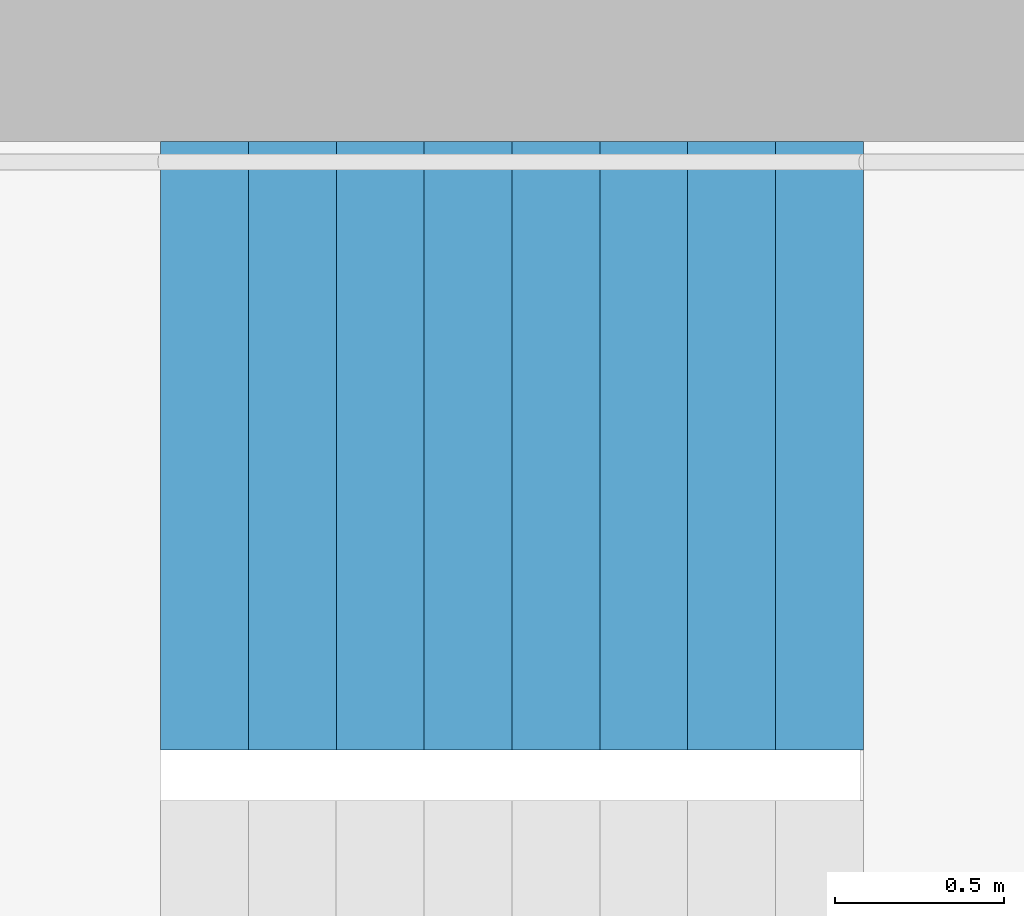
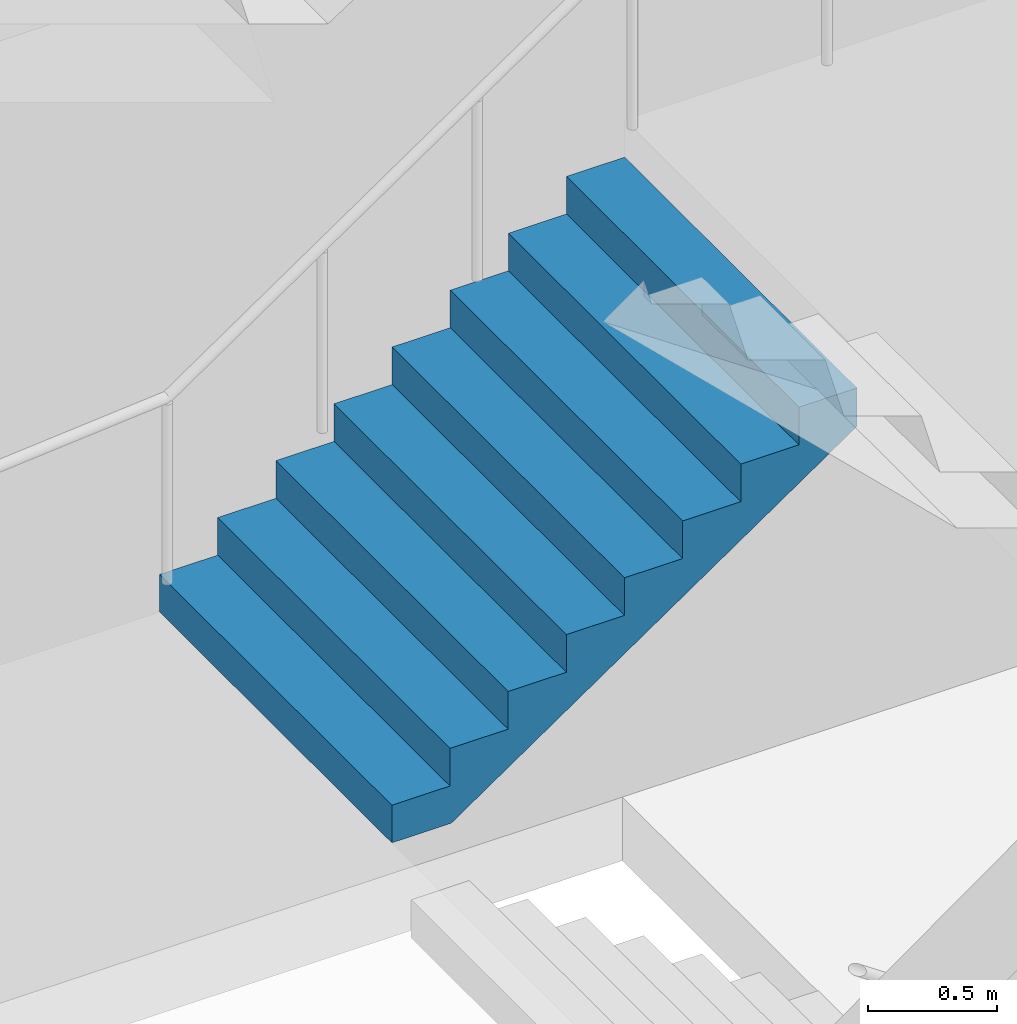
# One storey, part 30 of 42: 1 stair flight, 1 element without a shape of its own.
"""IFC4 building model written with IfcOpenShell, lengths in metres."""

import ifcopenshell
import ifcopenshell.guid

model = None  # the IFC model being written
_history = None  # IfcOwnerHistory: only IFC2X3 demands one
_inside = {}  # id of a spatial element -> (the spatial element, [elements in it])
_under = {}  # id of a project, library or spatial element -> (it, [spatial elements below it])
_declared = {}  # id of a project -> (the project, [libraries it declares])
_typed = {}  # id of a type object -> (the type object, [elements of that type])
_made_of = {}  # id of a material, layer set ... -> (it, [elements and type objects made of it])


def new_model(schema):
    """Start an empty IFC model of exactly this schema.

    Asked for "IFC4X3", IfcOpenShell would pick the latest addendum, in which some entities
    have other attributes; the version numbers below select the first issue.
    IFC2X3 requires an IfcOwnerHistory on every rooted entity: one is made here for all.
    """
    global model, _history
    if schema == "IFC4X3":
        model = ifcopenshell.file(schema_version=(4, 3, 0, 0))
    else:
        model = ifcopenshell.file(schema=schema)
    _inside.clear()
    _under.clear()
    _declared.clear()
    _typed.clear()
    _made_of.clear()
    _history = None
    if model.schema == "IFC2X3":
        org = make("IfcOrganization", Name="unknown")
        user = make(
            "IfcPersonAndOrganization",
            ThePerson=make("IfcPerson", FamilyName="unknown"),
            TheOrganization=org,
        )
        app = make(
            "IfcApplication",
            ApplicationDeveloper=org,
            Version="unknown",
            ApplicationFullName="unknown",
            ApplicationIdentifier="unknown",
        )
        _history = make(
            "IfcOwnerHistory",
            OwningUser=user,
            OwningApplication=app,
            ChangeAction="ADDED",
            CreationDate=0,
        )
    return model


def make(cls, **values):
    """One entity of the class cls with the attributes given. An attribute that is None is left unset."""
    return model.create_entity(
        cls, **{name: value for name, value in values.items() if value is not None}
    )


def rooted(cls, **values):
    """An entity with a GlobalId (a new one), such as an element, a storey or a relation."""
    return make(cls, GlobalId=ifcopenshell.guid.new(), OwnerHistory=_history, **values)


def si_unit(unit_type, name, prefix=None):
    """IfcSIUnit, for example si_unit("LENGTHUNIT", "METRE", prefix="MILLI")."""
    return make("IfcSIUnit", UnitType=unit_type, Prefix=prefix, Name=name)


def assignment(units):
    """IfcUnitAssignment: the units of a project."""
    return None if units is None else make("IfcUnitAssignment", Units=units)


def point(xyz):
    """IfcCartesianPoint."""
    return None if xyz is None else make("IfcCartesianPoint", Coordinates=xyz)


def direction(xyz):
    """IfcDirection."""
    return None if xyz is None else make("IfcDirection", DirectionRatios=xyz)


def frame(location, z_axis=None, x_axis=None):
    """IfcAxis2Placement3D, a coordinate frame: its origin and axes. An axis left out is left unset."""
    return make(
        "IfcAxis2Placement3D",
        Location=point(location),
        Axis=direction(z_axis),
        RefDirection=direction(x_axis),
    )


def origin():
    """The frame at (0, 0, 0) with its axes left unset."""
    return frame((0.0, 0.0, 0.0))


def place(relative_to, where):
    """IfcLocalPlacement: puts the frame where relative to a parent placement (None: the world)."""
    return make(
        "IfcLocalPlacement", PlacementRelTo=relative_to, RelativePlacement=where
    )


def context(
    kind, dimensions, precision=None, world=None, true_north=None, identifier=None
):
    """IfcGeometricRepresentationContext, for example the 3D "Model" context."""
    return make(
        "IfcGeometricRepresentationContext",
        ContextIdentifier=identifier,
        ContextType=kind,
        CoordinateSpaceDimension=dimensions,
        Precision=precision,
        WorldCoordinateSystem=world,
        TrueNorth=true_north,
    )


def subcontext(parent, identifier, kind, view, scale=None):
    """IfcGeometricRepresentationSubContext, for example "Body" below "Model"."""
    return make(
        "IfcGeometricRepresentationSubContext",
        ContextIdentifier=identifier,
        ContextType=kind,
        ParentContext=parent,
        TargetScale=scale,
        TargetView=view,
    )


def project(units=None, contexts=None):
    """IfcProject with its units and contexts."""
    return rooted(
        "IfcProject",
        Name="project",
        RepresentationContexts=contexts,
        UnitsInContext=assignment(units),
    )


def spatial(cls, under=None, at=None, **own):
    """A site, building, storey or space (cls), placed at a placement, below another one or the project."""
    s = rooted(cls, ObjectPlacement=at, **own)
    if under is not None:
        _under.setdefault(under.id(), (under, []))[1].append(s)
    return s


def point_list(points):
    """IfcCartesianPointList2D or 3D."""
    cls = (
        "IfcCartesianPointList2D" if len(points[0]) == 2 else "IfcCartesianPointList3D"
    )
    return make(cls, CoordList=points)


def triangles(points, corners, closed=None, point_numbers=None):
    """IfcTriangulatedFaceSet: each triangle names its three corners, points numbered from 1."""
    return make(
        "IfcTriangulatedFaceSet",
        Coordinates=point_list(points),
        Closed=closed,
        CoordIndex=corners,
        PnIndex=point_numbers,
    )


def shape(context_of_items, identifier, shape_type, items):
    """IfcShapeRepresentation: the items that make up one representation, for example the "Body"."""
    return make(
        "IfcShapeRepresentation",
        ContextOfItems=context_of_items,
        RepresentationIdentifier=identifier,
        RepresentationType=shape_type,
        Items=items,
    )


def material(Name=None, Category=None):
    """IfcMaterial."""
    return make("IfcMaterial", Name=Name, Category=Category)


def made_of(thing, what):
    """Note that an element or type object is made of a material, layer set ...; save() writes the relation."""
    if what is not None:
        _made_of.setdefault(what.id(), (what, []))[1].append(thing)
    return thing


def type_object(cls, material=None, **own):
    """A type object (cls), such as IfcWallType, which elements share."""
    return made_of(rooted(cls, **own), material)


def element(
    cls,
    number,
    at=None,
    inside=None,
    cuts=None,
    type_object=None,
    material=None,
    context=None,
    identifier="Body",
    shape_type=None,
    held_by="IfcProductDefinitionShape",
    body=None,
    shapes=None,
    **own,
):
    """One element of the class cls, such as IfcWall. Its Tag is "e" and its number.

    at: its placement. inside: the storey or other place that contains it. cuts: it is an
    opening in that element (IfcRelVoidsElement). A single representation is given by context,
    identifier, shape_type and body (its items); several are given by shapes. held_by: the class
    of the entity that holds the representations. save() writes the other relations.
    """
    e = rooted(cls, Tag="e%d" % number, ObjectPlacement=at, **own)
    if body is not None:
        shapes = [shape(context, identifier, shape_type, body)]
    if shapes is not None:
        e.Representation = make(held_by, Representations=shapes)
    if inside is not None:
        _inside.setdefault(inside.id(), (inside, []))[1].append(e)
    if cuts is not None:
        rooted(
            "IfcRelVoidsElement", RelatingBuildingElement=cuts, RelatedOpeningElement=e
        )
    if type_object is not None:
        _typed.setdefault(type_object.id(), (type_object, []))[1].append(e)
    return made_of(e, material)


def aggregate(whole, parts):
    """IfcRelAggregates: a whole, such as a stair, and the parts it consists of."""
    return rooted("IfcRelAggregates", RelatingObject=whole, RelatedObjects=parts)


def save(model, path):
    """Write the relations noted so far, then the file.

    IfcRelAggregates (storeys below a building ...), IfcRelContainedInSpatialStructure (elements
    in a storey), IfcRelDefinesByType, IfcRelAssociatesMaterial and IfcRelDeclares: one each for
    every whole, place, type object, material and project.
    """
    for whole, parts in _under.values():
        aggregate(whole, parts)
    for where, things in _inside.values():
        rooted(
            "IfcRelContainedInSpatialStructure",
            RelatedElements=things,
            RelatingStructure=where,
        )
    for kind, things in _typed.values():
        rooted("IfcRelDefinesByType", RelatedObjects=things, RelatingType=kind)
    for what, things in _made_of.values():
        rooted("IfcRelAssociatesMaterial", RelatedObjects=things, RelatingMaterial=what)
    for by, libraries in _declared.values():
        rooted("IfcRelDeclares", RelatingContext=by, RelatedDefinitions=libraries)
    model.write(path)


model = new_model("IFC4")

# Units and contexts
model_context = context("Model", 3, precision=1e-05, world=origin(), true_north=direction((0.0, 1.0)))
body_context = subcontext(model_context, "Body", "Model", "MODEL_VIEW")
ifc_project = project(units=[si_unit("LENGTHUNIT", "METRE"), si_unit("AREAUNIT", "SQUARE_METRE"), si_unit("VOLUMEUNIT", "CUBIC_METRE"), si_unit("PLANEANGLEUNIT", "RADIAN"), si_unit("MASSUNIT", "GRAM", prefix="KILO")], contexts=[model_context])

# Site, building, storey
site_placement = place(None, origin())
site = spatial("IfcSite", under=ifc_project, at=site_placement, CompositionType="ELEMENT")
building_placement = place(site_placement, origin())
building = spatial("IfcBuilding", under=site, at=building_placement, Name="Hakoniwa Tower and Hamabe Station Hall", CompositionType="ELEMENT")
storey_placement = place(building_placement, frame((0.0, 0.0, 232.60009765625)))
storey = spatial("IfcBuildingStorey", under=building, at=storey_placement, Name="L66", CompositionType="ELEMENT", Elevation=232.60009765625)

# Stair, stair flight
ifc_material_1 = material(Name="Concrete C40", Category="concrete")
stair_type = type_object("IfcStairType", Name="ESCAPE STAIR 1800", PredefinedType="HALF_TURN_STAIR", material=ifc_material_1)
stair_placement = place(storey_placement, origin())
stair = element("IfcStair", 1, at=stair_placement, inside=storey, type_object=stair_type, Name="Escape stair ST-3 L66", PredefinedType="HALF_TURN_STAIR")
ifc_material_2 = material(Name="Concrete C40", Category="concrete")
stair_flight_type = type_object("IfcStairFlightType", Name="STAIR FLIGHT 1800", PredefinedType="STRAIGHT", material=ifc_material_2)
stair_flight_placement = place(storey_placement, frame((22.320068359375, 6.60009765625, 1.599853515625), z_axis=(0.0, 0.0, 1.0), x_axis=(1.0, 0.0, 0.0)))
stair_flight = element("IfcStairFlight", 2, at=stair_flight_placement, type_object=stair_flight_type, Name="ST-3 flight 2", NumberOfRisers=9, NumberOfTreads=8, PredefinedType="STRAIGHT", RiserHeight=0.177777778, TreadLength=0.26, context=body_context, shape_type="Tessellation", body=[
    triangles([(0.0, 0.89990234375, 0.0), (0.260009765625, 0.89990234375, 0.0), (0.265625, 0.89990234375, 0.0), (0.52001953125, 0.89990234375, 0.174072265625), (0.780029296875, 0.89990234375, 0.351806640625), (1.0400390625, 0.89990234375, 0.529541015625), (1.300048828125, 0.89990234375, 0.707275390625), (1.56005859375, 0.89990234375, 0.885009765625), (1.820068359375, 0.89990234375, 1.062744140625), (2.080078125, 0.89990234375, 1.24072265625), (2.080078125, 0.89990234375, 1.422119140625), (1.820068359375, 0.89990234375, 1.422119140625), (1.820068359375, 0.89990234375, 1.244384765625), (1.56005859375, 0.89990234375, 1.244384765625), (1.56005859375, 0.89990234375, 1.066650390625), (1.300048828125, 0.89990234375, 1.066650390625), (1.300048828125, 0.89990234375, 0.888916015625), (1.0400390625, 0.89990234375, 0.888916015625), (1.0400390625, 0.89990234375, 0.711181640625), (0.780029296875, 0.89990234375, 0.711181640625), (0.780029296875, 0.89990234375, 0.533447265625), (0.52001953125, 0.89990234375, 0.533447265625), (0.52001953125, 0.89990234375, 0.35546875), (0.265625, 0.89990234375, 0.35546875), (0.260009765625, 0.89990234375, 0.35546875), (0.260009765625, 0.89990234375, 0.177734375), (0.0, 0.89990234375, 0.177734375), (0.0, 0.06005859375, 0.0), (0.260009765625, 0.06005859375, 0.0), (0.265625, 0.06005859375, 0.0), (0.52001953125, 0.06005859375, 0.174072265625), (0.780029296875, 0.06005859375, 0.351806640625), (1.0400390625, 0.06005859375, 0.529541015625), (1.300048828125, 0.06005859375, 0.707275390625), (1.56005859375, 0.06005859375, 0.885009765625), (1.820068359375, 0.06005859375, 1.062744140625), (2.080078125, 0.06005859375, 1.24072265625), (2.080078125, 0.06005859375, 1.422119140625), (1.820068359375, 0.06005859375, 1.422119140625), (1.820068359375, 0.06005859375, 1.244384765625), (1.56005859375, 0.06005859375, 1.244384765625), (1.56005859375, 0.06005859375, 1.066650390625), (1.300048828125, 0.06005859375, 1.066650390625), (1.300048828125, 0.06005859375, 0.888916015625), (1.0400390625, 0.06005859375, 0.888916015625), (1.0400390625, 0.06005859375, 0.711181640625), (0.780029296875, 0.06005859375, 0.711181640625), (0.780029296875, 0.06005859375, 0.533447265625), (0.52001953125, 0.06005859375, 0.533447265625), (0.52001953125, 0.06005859375, 0.35546875), (0.265625, 0.06005859375, 0.35546875), (0.260009765625, 0.06005859375, 0.35546875), (0.260009765625, 0.06005859375, 0.177734375), (0.0, 0.06005859375, 0.177734375), (0.0, 0.04296875, 0.0), (0.260009765625, 0.04296875, 0.0), (0.265625, 0.04296875, 0.0), (0.52001953125, 0.04296875, 0.174072265625), (0.780029296875, 0.04296875, 0.351806640625), (1.0400390625, 0.04296875, 0.529541015625), (1.300048828125, 0.04296875, 0.707275390625), (1.56005859375, 0.04296875, 0.885009765625), (1.820068359375, 0.04296875, 1.062744140625), (2.080078125, 0.04296875, 1.24072265625), (2.080078125, 0.04296875, 1.422119140625), (1.820068359375, 0.04296875, 1.422119140625), (1.820068359375, 0.04296875, 1.244384765625), (1.56005859375, 0.04296875, 1.244384765625), (1.56005859375, 0.04296875, 1.066650390625), (1.300048828125, 0.04296875, 1.066650390625), (1.300048828125, 0.04296875, 0.888916015625), (1.0400390625, 0.04296875, 0.888916015625), (1.0400390625, 0.04296875, 0.711181640625), (0.780029296875, 0.04296875, 0.711181640625), (0.780029296875, 0.04296875, 0.533447265625), (0.52001953125, 0.04296875, 0.533447265625), (0.52001953125, 0.04296875, 0.35546875), (0.265625, 0.04296875, 0.35546875), (0.260009765625, 0.04296875, 0.35546875), (0.260009765625, 0.04296875, 0.177734375), (0.0, 0.04296875, 0.177734375), (0.0, 0.025634765625, 0.0), (0.260009765625, 0.025634765625, 0.0), (0.265625, 0.025634765625, 0.0), (0.52001953125, 0.025634765625, 0.174072265625), (0.780029296875, 0.025634765625, 0.351806640625), (1.0400390625, 0.025634765625, 0.529541015625), (1.300048828125, 0.025634765625, 0.707275390625), (1.56005859375, 0.025634765625, 0.885009765625), (1.820068359375, 0.025634765625, 1.062744140625), (2.080078125, 0.025634765625, 1.24072265625), (2.080078125, 0.025634765625, 1.422119140625), (1.820068359375, 0.025634765625, 1.422119140625), (1.820068359375, 0.025634765625, 1.244384765625), (1.56005859375, 0.025634765625, 1.244384765625), (1.56005859375, 0.025634765625, 1.066650390625), (1.300048828125, 0.025634765625, 1.066650390625), (1.300048828125, 0.025634765625, 0.888916015625), (1.0400390625, 0.025634765625, 0.888916015625), (1.0400390625, 0.025634765625, 0.711181640625), (0.780029296875, 0.025634765625, 0.711181640625), (0.780029296875, 0.025634765625, 0.533447265625), (0.52001953125, 0.025634765625, 0.533447265625), (0.52001953125, 0.025634765625, 0.35546875), (0.265625, 0.025634765625, 0.35546875), (0.260009765625, 0.025634765625, 0.35546875), (0.260009765625, 0.025634765625, 0.177734375), (0.0, 0.025634765625, 0.177734375), (0.0, 0.008544921875, 0.0), (0.260009765625, 0.008544921875, 0.0), (0.265625, 0.008544921875, 0.0), (0.52001953125, 0.008544921875, 0.174072265625), (0.780029296875, 0.008544921875, 0.351806640625), (1.0400390625, 0.008544921875, 0.529541015625), (1.300048828125, 0.008544921875, 0.707275390625), (1.56005859375, 0.008544921875, 0.885009765625), (1.820068359375, 0.008544921875, 1.062744140625), (2.080078125, 0.008544921875, 1.24072265625), (2.080078125, 0.008544921875, 1.422119140625), (1.820068359375, 0.008544921875, 1.422119140625), (1.820068359375, 0.008544921875, 1.244384765625), (1.56005859375, 0.008544921875, 1.244384765625), (1.56005859375, 0.008544921875, 1.066650390625), (1.300048828125, 0.008544921875, 1.066650390625), (1.300048828125, 0.008544921875, 0.888916015625), (1.0400390625, 0.008544921875, 0.888916015625), (1.0400390625, 0.008544921875, 0.711181640625), (0.780029296875, 0.008544921875, 0.711181640625), (0.780029296875, 0.008544921875, 0.533447265625), (0.52001953125, 0.008544921875, 0.533447265625), (0.52001953125, 0.008544921875, 0.35546875), (0.265625, 0.008544921875, 0.35546875), (0.260009765625, 0.008544921875, 0.35546875), (0.260009765625, 0.008544921875, 0.177734375), (0.0, 0.008544921875, 0.177734375), (0.0, -0.008544921875, 0.0), (0.260009765625, -0.008544921875, 0.0), (0.265625, -0.008544921875, 0.0), (0.52001953125, -0.008544921875, 0.174072265625), (0.780029296875, -0.008544921875, 0.351806640625), (1.0400390625, -0.008544921875, 0.529541015625), (1.300048828125, -0.008544921875, 0.707275390625), (1.56005859375, -0.008544921875, 0.885009765625), (1.820068359375, -0.008544921875, 1.062744140625), (2.080078125, -0.008544921875, 1.24072265625), (2.080078125, -0.008544921875, 1.422119140625), (1.820068359375, -0.008544921875, 1.422119140625), (1.820068359375, -0.008544921875, 1.244384765625), (1.56005859375, -0.008544921875, 1.244384765625), (1.56005859375, -0.008544921875, 1.066650390625), (1.300048828125, -0.008544921875, 1.066650390625), (1.300048828125, -0.008544921875, 0.888916015625), (1.0400390625, -0.008544921875, 0.888916015625), (1.0400390625, -0.008544921875, 0.711181640625), (0.780029296875, -0.008544921875, 0.711181640625), (0.780029296875, -0.008544921875, 0.533447265625), (0.52001953125, -0.008544921875, 0.533447265625), (0.52001953125, -0.008544921875, 0.35546875), (0.265625, -0.008544921875, 0.35546875), (0.260009765625, -0.008544921875, 0.35546875), (0.260009765625, -0.008544921875, 0.177734375), (0.0, -0.008544921875, 0.177734375), (0.0, -0.025634765625, 0.0), (0.260009765625, -0.025634765625, 0.0), (0.265625, -0.025634765625, 0.0), (0.52001953125, -0.025634765625, 0.174072265625), (0.780029296875, -0.025634765625, 0.351806640625), (1.0400390625, -0.025634765625, 0.529541015625), (1.300048828125, -0.025634765625, 0.707275390625), (1.56005859375, -0.025634765625, 0.885009765625), (1.820068359375, -0.025634765625, 1.062744140625), (2.080078125, -0.025634765625, 1.24072265625), (2.080078125, -0.025634765625, 1.422119140625), (1.820068359375, -0.025634765625, 1.422119140625), (1.820068359375, -0.025634765625, 1.244384765625), (1.56005859375, -0.025634765625, 1.244384765625), (1.56005859375, -0.025634765625, 1.066650390625), (1.300048828125, -0.025634765625, 1.066650390625), (1.300048828125, -0.025634765625, 0.888916015625), (1.0400390625, -0.025634765625, 0.888916015625), (1.0400390625, -0.025634765625, 0.711181640625), (0.780029296875, -0.025634765625, 0.711181640625), (0.780029296875, -0.025634765625, 0.533447265625), (0.52001953125, -0.025634765625, 0.533447265625), (0.52001953125, -0.025634765625, 0.35546875), (0.265625, -0.025634765625, 0.35546875), (0.260009765625, -0.025634765625, 0.35546875), (0.260009765625, -0.025634765625, 0.177734375), (0.0, -0.025634765625, 0.177734375), (0.0, -0.04296875, 0.0), (0.260009765625, -0.04296875, 0.0), (0.265625, -0.04296875, 0.0), (0.52001953125, -0.04296875, 0.174072265625), (0.780029296875, -0.04296875, 0.351806640625), (1.0400390625, -0.04296875, 0.529541015625), (1.300048828125, -0.04296875, 0.707275390625), (1.56005859375, -0.04296875, 0.885009765625), (1.820068359375, -0.04296875, 1.062744140625), (2.080078125, -0.04296875, 1.24072265625), (2.080078125, -0.04296875, 1.422119140625), (1.820068359375, -0.04296875, 1.422119140625), (1.820068359375, -0.04296875, 1.244384765625), (1.56005859375, -0.04296875, 1.244384765625), (1.56005859375, -0.04296875, 1.066650390625), (1.300048828125, -0.04296875, 1.066650390625), (1.300048828125, -0.04296875, 0.888916015625), (1.0400390625, -0.04296875, 0.888916015625), (1.0400390625, -0.04296875, 0.711181640625), (0.780029296875, -0.04296875, 0.711181640625), (0.780029296875, -0.04296875, 0.533447265625), (0.52001953125, -0.04296875, 0.533447265625), (0.52001953125, -0.04296875, 0.35546875), (0.265625, -0.04296875, 0.35546875), (0.260009765625, -0.04296875, 0.35546875), (0.260009765625, -0.04296875, 0.177734375), (0.0, -0.04296875, 0.177734375), (0.0, -0.06005859375, 0.0), (0.260009765625, -0.06005859375, 0.0), (0.265625, -0.06005859375, 0.0), (0.52001953125, -0.06005859375, 0.174072265625), (0.780029296875, -0.06005859375, 0.351806640625), (1.0400390625, -0.06005859375, 0.529541015625), (1.300048828125, -0.06005859375, 0.707275390625), (1.56005859375, -0.06005859375, 0.885009765625), (1.820068359375, -0.06005859375, 1.062744140625), (2.080078125, -0.06005859375, 1.24072265625), (2.080078125, -0.06005859375, 1.422119140625), (1.820068359375, -0.06005859375, 1.422119140625), (1.820068359375, -0.06005859375, 1.244384765625), (1.56005859375, -0.06005859375, 1.244384765625), (1.56005859375, -0.06005859375, 1.066650390625), (1.300048828125, -0.06005859375, 1.066650390625), (1.300048828125, -0.06005859375, 0.888916015625), (1.0400390625, -0.06005859375, 0.888916015625), (1.0400390625, -0.06005859375, 0.711181640625), (0.780029296875, -0.06005859375, 0.711181640625), (0.780029296875, -0.06005859375, 0.533447265625), (0.52001953125, -0.06005859375, 0.533447265625), (0.52001953125, -0.06005859375, 0.35546875), (0.265625, -0.06005859375, 0.35546875), (0.260009765625, -0.06005859375, 0.35546875), (0.260009765625, -0.06005859375, 0.177734375), (0.0, -0.06005859375, 0.177734375), (0.0, -0.89990234375, 0.0), (0.260009765625, -0.89990234375, 0.0), (0.265625, -0.89990234375, 0.0), (0.52001953125, -0.89990234375, 0.174072265625), (0.780029296875, -0.89990234375, 0.351806640625), (1.0400390625, -0.89990234375, 0.529541015625), (1.300048828125, -0.89990234375, 0.707275390625), (1.56005859375, -0.89990234375, 0.885009765625), (1.820068359375, -0.89990234375, 1.062744140625), (2.080078125, -0.89990234375, 1.24072265625), (2.080078125, -0.89990234375, 1.422119140625), (1.820068359375, -0.89990234375, 1.422119140625), (1.820068359375, -0.89990234375, 1.244384765625), (1.56005859375, -0.89990234375, 1.244384765625), (1.56005859375, -0.89990234375, 1.066650390625), (1.300048828125, -0.89990234375, 1.066650390625), (1.300048828125, -0.89990234375, 0.888916015625), (1.0400390625, -0.89990234375, 0.888916015625), (1.0400390625, -0.89990234375, 0.711181640625), (0.780029296875, -0.89990234375, 0.711181640625), (0.780029296875, -0.89990234375, 0.533447265625), (0.52001953125, -0.89990234375, 0.533447265625), (0.52001953125, -0.89990234375, 0.35546875), (0.265625, -0.89990234375, 0.35546875), (0.260009765625, -0.89990234375, 0.35546875), (0.260009765625, -0.89990234375, 0.177734375), (0.0, -0.89990234375, 0.177734375)], [[2, 27, 26], [245, 269, 270], [2, 1, 27], [245, 270, 244], [3, 25, 24], [246, 267, 268], [3, 26, 25], [246, 268, 269], [3, 2, 26], [246, 269, 245], [4, 24, 23], [247, 266, 267], [4, 3, 24], [247, 267, 246], [5, 22, 21], [248, 264, 265], [5, 23, 22], [248, 265, 266], [5, 4, 23], [248, 266, 247], [6, 20, 19], [249, 262, 263], [6, 21, 20], [249, 263, 264], [6, 5, 21], [249, 264, 248], [7, 18, 17], [250, 260, 261], [7, 19, 18], [250, 261, 262], [7, 6, 19], [250, 262, 249], [8, 16, 15], [251, 258, 259], [8, 17, 16], [251, 259, 260], [8, 7, 17], [251, 260, 250], [9, 14, 13], [252, 256, 257], [9, 15, 14], [252, 257, 258], [9, 8, 15], [252, 258, 251], [10, 12, 11], [253, 254, 255], [10, 13, 12], [253, 255, 256], [10, 9, 13], [253, 256, 252], [1, 2, 29], [1, 29, 28], [28, 29, 56], [28, 56, 55], [55, 56, 83], [55, 83, 82], [82, 83, 110], [82, 110, 109], [109, 110, 137], [109, 137, 136], [136, 137, 164], [136, 164, 163], [163, 164, 191], [163, 191, 190], [190, 191, 218], [190, 218, 217], [217, 218, 245], [217, 245, 244], [2, 3, 30], [2, 30, 29], [29, 30, 57], [29, 57, 56], [56, 57, 84], [56, 84, 83], [83, 84, 111], [83, 111, 110], [110, 111, 138], [110, 138, 137], [137, 138, 165], [137, 165, 164], [164, 165, 192], [164, 192, 191], [191, 192, 219], [191, 219, 218], [218, 219, 246], [218, 246, 245], [3, 4, 31], [3, 31, 30], [30, 31, 58], [30, 58, 57], [57, 58, 85], [57, 85, 84], [84, 85, 112], [84, 112, 111], [111, 112, 139], [111, 139, 138], [138, 139, 166], [138, 166, 165], [165, 166, 193], [165, 193, 192], [192, 193, 220], [192, 220, 219], [219, 220, 247], [219, 247, 246], [4, 5, 32], [4, 32, 31], [31, 32, 59], [31, 59, 58], [58, 59, 86], [58, 86, 85], [85, 86, 113], [85, 113, 112], [112, 113, 140], [112, 140, 139], [139, 140, 167], [139, 167, 166], [166, 167, 194], [166, 194, 193], [193, 194, 221], [193, 221, 220], [220, 221, 248], [220, 248, 247], [5, 6, 33], [5, 33, 32], [32, 33, 60], [32, 60, 59], [59, 60, 87], [59, 87, 86], [86, 87, 114], [86, 114, 113], [113, 114, 141], [113, 141, 140], [140, 141, 168], [140, 168, 167], [167, 168, 195], [167, 195, 194], [194, 195, 222], [194, 222, 221], [221, 222, 249], [221, 249, 248], [6, 7, 34], [6, 34, 33], [33, 34, 61], [33, 61, 60], [60, 61, 88], [60, 88, 87], [87, 88, 115], [87, 115, 114], [114, 115, 142], [114, 142, 141], [141, 142, 169], [141, 169, 168], [168, 169, 196], [168, 196, 195], [195, 196, 223], [195, 223, 222], [222, 223, 250], [222, 250, 249], [7, 8, 35], [7, 35, 34], [34, 35, 62], [34, 62, 61], [61, 62, 89], [61, 89, 88], [88, 89, 116], [88, 116, 115], [115, 116, 143], [115, 143, 142], [142, 143, 170], [142, 170, 169], [169, 170, 197], [169, 197, 196], [196, 197, 224], [196, 224, 223], [223, 224, 251], [223, 251, 250], [8, 9, 36], [8, 36, 35], [35, 36, 63], [35, 63, 62], [62, 63, 90], [62, 90, 89], [89, 90, 117], [89, 117, 116], [116, 117, 144], [116, 144, 143], [143, 144, 171], [143, 171, 170], [170, 171, 198], [170, 198, 197], [197, 198, 225], [197, 225, 224], [224, 225, 252], [224, 252, 251], [9, 10, 37], [9, 37, 36], [36, 37, 64], [36, 64, 63], [63, 64, 91], [63, 91, 90], [90, 91, 118], [90, 118, 117], [117, 118, 145], [117, 145, 144], [144, 145, 172], [144, 172, 171], [171, 172, 199], [171, 199, 198], [198, 199, 226], [198, 226, 225], [225, 226, 253], [225, 253, 252], [10, 11, 38], [10, 38, 37], [37, 38, 65], [37, 65, 64], [64, 65, 92], [64, 92, 91], [91, 92, 119], [91, 119, 118], [118, 119, 146], [118, 146, 145], [145, 146, 173], [145, 173, 172], [172, 173, 200], [172, 200, 199], [199, 200, 227], [199, 227, 226], [226, 227, 254], [226, 254, 253], [11, 12, 39], [11, 39, 38], [38, 39, 66], [38, 66, 65], [65, 66, 93], [65, 93, 92], [92, 93, 120], [92, 120, 119], [119, 120, 147], [119, 147, 146], [146, 147, 174], [146, 174, 173], [173, 174, 201], [173, 201, 200], [200, 201, 228], [200, 228, 227], [227, 228, 255], [227, 255, 254], [12, 13, 40], [12, 40, 39], [39, 40, 67], [39, 67, 66], [66, 67, 94], [66, 94, 93], [93, 94, 121], [93, 121, 120], [120, 121, 148], [120, 148, 147], [147, 148, 175], [147, 175, 174], [174, 175, 202], [174, 202, 201], [201, 202, 229], [201, 229, 228], [228, 229, 256], [228, 256, 255], [13, 14, 41], [13, 41, 40], [40, 41, 68], [40, 68, 67], [67, 68, 95], [67, 95, 94], [94, 95, 122], [94, 122, 121], [121, 122, 149], [121, 149, 148], [148, 149, 176], [148, 176, 175], [175, 176, 203], [175, 203, 202], [202, 203, 230], [202, 230, 229], [229, 230, 257], [229, 257, 256], [14, 15, 42], [14, 42, 41], [41, 42, 69], [41, 69, 68], [68, 69, 96], [68, 96, 95], [95, 96, 123], [95, 123, 122], [122, 123, 150], [122, 150, 149], [149, 150, 177], [149, 177, 176], [176, 177, 204], [176, 204, 203], [203, 204, 231], [203, 231, 230], [230, 231, 258], [230, 258, 257], [15, 16, 43], [15, 43, 42], [42, 43, 70], [42, 70, 69], [69, 70, 97], [69, 97, 96], [96, 97, 124], [96, 124, 123], [123, 124, 151], [123, 151, 150], [150, 151, 178], [150, 178, 177], [177, 178, 205], [177, 205, 204], [204, 205, 232], [204, 232, 231], [231, 232, 259], [231, 259, 258], [16, 17, 44], [16, 44, 43], [43, 44, 71], [43, 71, 70], [70, 71, 98], [70, 98, 97], [97, 98, 125], [97, 125, 124], [124, 125, 152], [124, 152, 151], [151, 152, 179], [151, 179, 178], [178, 179, 206], [178, 206, 205], [205, 206, 233], [205, 233, 232], [232, 233, 260], [232, 260, 259], [17, 18, 45], [17, 45, 44], [44, 45, 72], [44, 72, 71], [71, 72, 99], [71, 99, 98], [98, 99, 126], [98, 126, 125], [125, 126, 153], [125, 153, 152], [152, 153, 180], [152, 180, 179], [179, 180, 207], [179, 207, 206], [206, 207, 234], [206, 234, 233], [233, 234, 261], [233, 261, 260], [18, 19, 46], [18, 46, 45], [45, 46, 73], [45, 73, 72], [72, 73, 100], [72, 100, 99], [99, 100, 127], [99, 127, 126], [126, 127, 154], [126, 154, 153], [153, 154, 181], [153, 181, 180], [180, 181, 208], [180, 208, 207], [207, 208, 235], [207, 235, 234], [234, 235, 262], [234, 262, 261], [19, 20, 47], [19, 47, 46], [46, 47, 74], [46, 74, 73], [73, 74, 101], [73, 101, 100], [100, 101, 128], [100, 128, 127], [127, 128, 155], [127, 155, 154], [154, 155, 182], [154, 182, 181], [181, 182, 209], [181, 209, 208], [208, 209, 236], [208, 236, 235], [235, 236, 263], [235, 263, 262], [20, 21, 48], [20, 48, 47], [47, 48, 75], [47, 75, 74], [74, 75, 102], [74, 102, 101], [101, 102, 129], [101, 129, 128], [128, 129, 156], [128, 156, 155], [155, 156, 183], [155, 183, 182], [182, 183, 210], [182, 210, 209], [209, 210, 237], [209, 237, 236], [236, 237, 264], [236, 264, 263], [21, 22, 49], [21, 49, 48], [48, 49, 76], [48, 76, 75], [75, 76, 103], [75, 103, 102], [102, 103, 130], [102, 130, 129], [129, 130, 157], [129, 157, 156], [156, 157, 184], [156, 184, 183], [183, 184, 211], [183, 211, 210], [210, 211, 238], [210, 238, 237], [237, 238, 265], [237, 265, 264], [22, 23, 50], [22, 50, 49], [49, 50, 77], [49, 77, 76], [76, 77, 104], [76, 104, 103], [103, 104, 131], [103, 131, 130], [130, 131, 158], [130, 158, 157], [157, 158, 185], [157, 185, 184], [184, 185, 212], [184, 212, 211], [211, 212, 239], [211, 239, 238], [238, 239, 266], [238, 266, 265], [23, 24, 51], [23, 51, 50], [50, 51, 78], [50, 78, 77], [77, 78, 105], [77, 105, 104], [104, 105, 132], [104, 132, 131], [131, 132, 159], [131, 159, 158], [158, 159, 186], [158, 186, 185], [185, 186, 213], [185, 213, 212], [212, 213, 240], [212, 240, 239], [239, 240, 267], [239, 267, 266], [24, 25, 52], [24, 52, 51], [51, 52, 79], [51, 79, 78], [78, 79, 106], [78, 106, 105], [105, 106, 133], [105, 133, 132], [132, 133, 160], [132, 160, 159], [159, 160, 187], [159, 187, 186], [186, 187, 214], [186, 214, 213], [213, 214, 241], [213, 241, 240], [240, 241, 268], [240, 268, 267], [25, 26, 53], [25, 53, 52], [52, 53, 80], [52, 80, 79], [79, 80, 107], [79, 107, 106], [106, 107, 134], [106, 134, 133], [133, 134, 161], [133, 161, 160], [160, 161, 188], [160, 188, 187], [187, 188, 215], [187, 215, 214], [214, 215, 242], [214, 242, 241], [241, 242, 269], [241, 269, 268], [26, 27, 54], [26, 54, 53], [53, 54, 81], [53, 81, 80], [80, 81, 108], [80, 108, 107], [107, 108, 135], [107, 135, 134], [134, 135, 162], [134, 162, 161], [161, 162, 189], [161, 189, 188], [188, 189, 216], [188, 216, 215], [215, 216, 243], [215, 243, 242], [242, 243, 270], [242, 270, 269], [27, 1, 28], [27, 28, 54], [54, 28, 55], [54, 55, 81], [81, 55, 82], [81, 82, 108], [108, 82, 109], [108, 109, 135], [135, 109, 136], [135, 136, 162], [162, 136, 163], [162, 163, 189], [189, 163, 190], [189, 190, 216], [216, 190, 217], [216, 217, 243], [243, 217, 244], [243, 244, 270]], closed=True),
])
aggregate(stair, [stair_flight])

save(model, "model.ifc")
